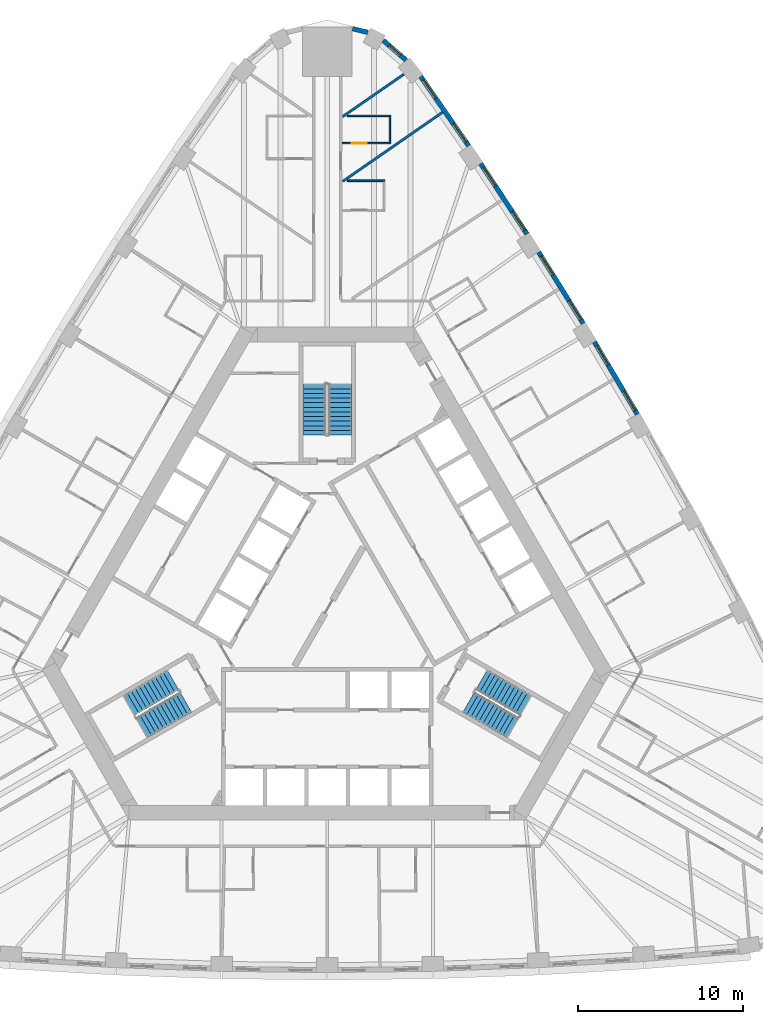
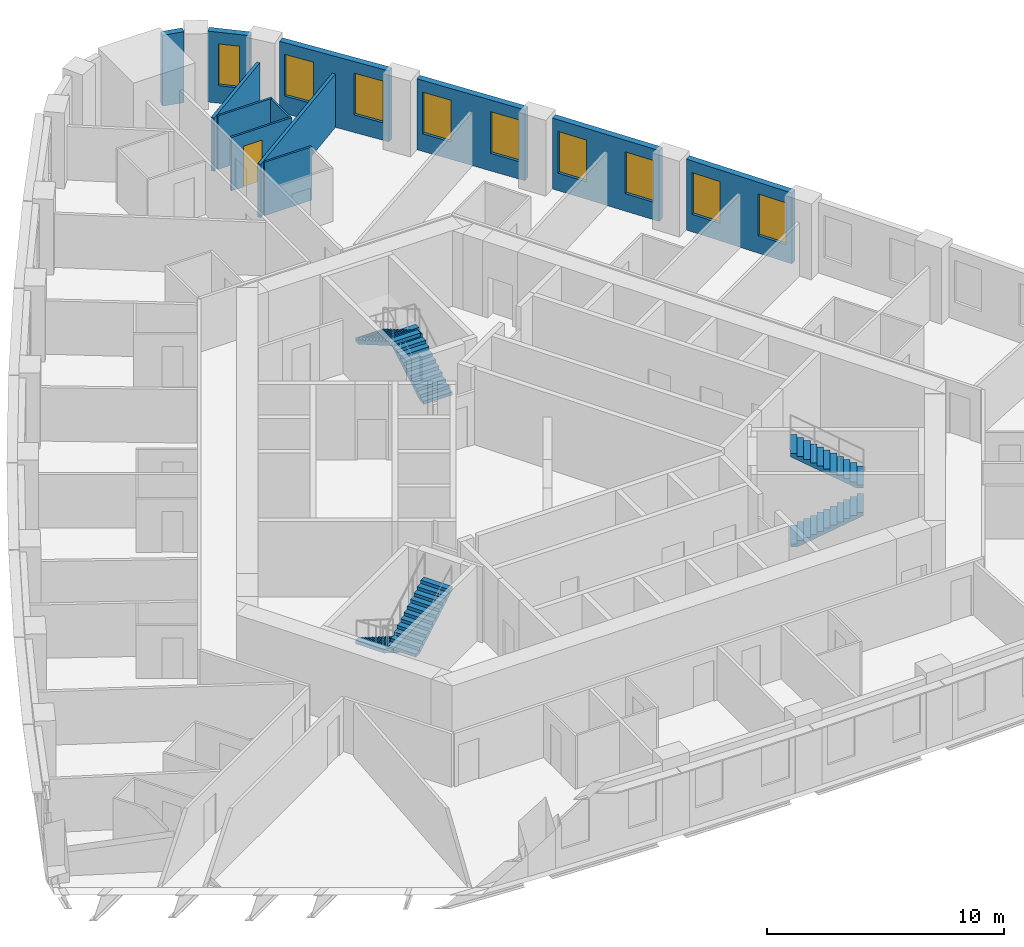
# One storey, part 11 of 12: 12 walls, 9 windows, 6 stair flights, 1 door, 10 openings, 3 elements without a shape of their own.
"""IFC4 building model written with IfcOpenShell, lengths in metres."""

import ifcopenshell
import ifcopenshell.guid

model = None  # the IFC model being written
_history = None  # IfcOwnerHistory: only IFC2X3 demands one
_inside = {}  # id of a spatial element -> (the spatial element, [elements in it])
_under = {}  # id of a project, library or spatial element -> (it, [spatial elements below it])
_declared = {}  # id of a project -> (the project, [libraries it declares])
_typed = {}  # id of a type object -> (the type object, [elements of that type])
_made_of = {}  # id of a material, layer set ... -> (it, [elements and type objects made of it])


def new_model(schema):
    """Start an empty IFC model of exactly this schema.

    Asked for "IFC4X3", IfcOpenShell would pick the latest addendum, in which some entities
    have other attributes; the version numbers below select the first issue.
    IFC2X3 requires an IfcOwnerHistory on every rooted entity: one is made here for all.
    """
    global model, _history
    if schema == "IFC4X3":
        model = ifcopenshell.file(schema_version=(4, 3, 0, 0))
    else:
        model = ifcopenshell.file(schema=schema)
    _inside.clear()
    _under.clear()
    _declared.clear()
    _typed.clear()
    _made_of.clear()
    _history = None
    if model.schema == "IFC2X3":
        org = make("IfcOrganization", Name="unknown")
        user = make(
            "IfcPersonAndOrganization",
            ThePerson=make("IfcPerson", FamilyName="unknown"),
            TheOrganization=org,
        )
        app = make(
            "IfcApplication",
            ApplicationDeveloper=org,
            Version="unknown",
            ApplicationFullName="unknown",
            ApplicationIdentifier="unknown",
        )
        _history = make(
            "IfcOwnerHistory",
            OwningUser=user,
            OwningApplication=app,
            ChangeAction="ADDED",
            CreationDate=0,
        )
    return model


def make(cls, **values):
    """One entity of the class cls with the attributes given. An attribute that is None is left unset."""
    return model.create_entity(
        cls, **{name: value for name, value in values.items() if value is not None}
    )


def rooted(cls, **values):
    """An entity with a GlobalId (a new one), such as an element, a storey or a relation."""
    return make(cls, GlobalId=ifcopenshell.guid.new(), OwnerHistory=_history, **values)


def si_unit(unit_type, name, prefix=None):
    """IfcSIUnit, for example si_unit("LENGTHUNIT", "METRE", prefix="MILLI")."""
    return make("IfcSIUnit", UnitType=unit_type, Prefix=prefix, Name=name)


def assignment(units):
    """IfcUnitAssignment: the units of a project."""
    return None if units is None else make("IfcUnitAssignment", Units=units)


def point(xyz):
    """IfcCartesianPoint."""
    return None if xyz is None else make("IfcCartesianPoint", Coordinates=xyz)


def direction(xyz):
    """IfcDirection."""
    return None if xyz is None else make("IfcDirection", DirectionRatios=xyz)


def frame(location, z_axis=None, x_axis=None):
    """IfcAxis2Placement3D, a coordinate frame: its origin and axes. An axis left out is left unset."""
    return make(
        "IfcAxis2Placement3D",
        Location=point(location),
        Axis=direction(z_axis),
        RefDirection=direction(x_axis),
    )


def frame_2d(location, x_axis=None):
    """IfcAxis2Placement2D, a coordinate frame in the plane: its origin and x axis."""
    return make(
        "IfcAxis2Placement2D", Location=point(location), RefDirection=direction(x_axis)
    )


def origin():
    """The frame at (0, 0, 0) with its axes left unset."""
    return frame((0.0, 0.0, 0.0))


def place(relative_to, where):
    """IfcLocalPlacement: puts the frame where relative to a parent placement (None: the world)."""
    return make(
        "IfcLocalPlacement", PlacementRelTo=relative_to, RelativePlacement=where
    )


def context(
    kind, dimensions, precision=None, world=None, true_north=None, identifier=None
):
    """IfcGeometricRepresentationContext, for example the 3D "Model" context."""
    return make(
        "IfcGeometricRepresentationContext",
        ContextIdentifier=identifier,
        ContextType=kind,
        CoordinateSpaceDimension=dimensions,
        Precision=precision,
        WorldCoordinateSystem=world,
        TrueNorth=true_north,
    )


def subcontext(parent, identifier, kind, view, scale=None):
    """IfcGeometricRepresentationSubContext, for example "Body" below "Model"."""
    return make(
        "IfcGeometricRepresentationSubContext",
        ContextIdentifier=identifier,
        ContextType=kind,
        ParentContext=parent,
        TargetScale=scale,
        TargetView=view,
    )


def project(units=None, contexts=None):
    """IfcProject with its units and contexts."""
    return rooted(
        "IfcProject",
        Name="project",
        RepresentationContexts=contexts,
        UnitsInContext=assignment(units),
    )


def spatial(cls, under=None, at=None, **own):
    """A site, building, storey or space (cls), placed at a placement, below another one or the project."""
    s = rooted(cls, ObjectPlacement=at, **own)
    if under is not None:
        _under.setdefault(under.id(), (under, []))[1].append(s)
    return s


def polyline(points):
    """IfcPolyline through the points."""
    return make("IfcPolyline", Points=[point(p) for p in points])


def profile(cls, at=None, kind="AREA", **sizes):
    """A parametric profile (cls). Its sizes go by their IFC names, for example OverallWidth=200.0."""
    return make(cls, ProfileType=kind, Position=at, **sizes)


def rectangle(**sizes):
    """IfcRectangleProfileDef."""
    return profile("IfcRectangleProfileDef", **sizes)


def outline(outer, holes=None, kind="AREA"):
    """IfcArbitraryClosedProfileDef: a profile drawn as a closed curve; with holes, ...WithVoids."""
    if holes is None:
        return make("IfcArbitraryClosedProfileDef", ProfileType=kind, OuterCurve=outer)
    return make(
        "IfcArbitraryProfileDefWithVoids",
        ProfileType=kind,
        OuterCurve=outer,
        InnerCurves=holes,
    )


def extrude(swept, where, along, depth):
    """IfcExtrudedAreaSolid: the profile swept, set in the frame where, extruded along a direction by depth."""
    return make(
        "IfcExtrudedAreaSolid",
        SweptArea=swept,
        Position=where,
        ExtrudedDirection=direction(along),
        Depth=depth,
    )


def shape(context_of_items, identifier, shape_type, items):
    """IfcShapeRepresentation: the items that make up one representation, for example the "Body"."""
    return make(
        "IfcShapeRepresentation",
        ContextOfItems=context_of_items,
        RepresentationIdentifier=identifier,
        RepresentationType=shape_type,
        Items=items,
    )


def material(Name=None, Category=None):
    """IfcMaterial."""
    return make("IfcMaterial", Name=Name, Category=Category)


def layer(
    of_material, thickness, ventilated=None, Name=None, Category=None, Priority=None
):
    """IfcMaterialLayer: one layer of a wall or slab, of a material (None: an air gap)."""
    return make(
        "IfcMaterialLayer",
        Material=of_material,
        LayerThickness=thickness,
        IsVentilated=ventilated,
        Name=Name,
        Category=Category,
        Priority=Priority,
    )


def layer_set(layers, Name=None):
    """IfcMaterialLayerSet."""
    return make("IfcMaterialLayerSet", MaterialLayers=layers, LayerSetName=Name)


def made_of(thing, what):
    """Note that an element or type object is made of a material, layer set ...; save() writes the relation."""
    if what is not None:
        _made_of.setdefault(what.id(), (what, []))[1].append(thing)
    return thing


def type_object(cls, material=None, **own):
    """A type object (cls), such as IfcWallType, which elements share."""
    return made_of(rooted(cls, **own), material)


def element(
    cls,
    number,
    at=None,
    inside=None,
    cuts=None,
    type_object=None,
    material=None,
    context=None,
    identifier="Body",
    shape_type=None,
    held_by="IfcProductDefinitionShape",
    body=None,
    shapes=None,
    **own,
):
    """One element of the class cls, such as IfcWall. Its Tag is "e" and its number.

    at: its placement. inside: the storey or other place that contains it. cuts: it is an
    opening in that element (IfcRelVoidsElement). A single representation is given by context,
    identifier, shape_type and body (its items); several are given by shapes. held_by: the class
    of the entity that holds the representations. save() writes the other relations.
    """
    e = rooted(cls, Tag="e%d" % number, ObjectPlacement=at, **own)
    if body is not None:
        shapes = [shape(context, identifier, shape_type, body)]
    if shapes is not None:
        e.Representation = make(held_by, Representations=shapes)
    if inside is not None:
        _inside.setdefault(inside.id(), (inside, []))[1].append(e)
    if cuts is not None:
        rooted(
            "IfcRelVoidsElement", RelatingBuildingElement=cuts, RelatedOpeningElement=e
        )
    if type_object is not None:
        _typed.setdefault(type_object.id(), (type_object, []))[1].append(e)
    return made_of(e, material)


def fill(opening, filler):
    """IfcRelFillsElement: the door or window that sits in an opening."""
    return rooted(
        "IfcRelFillsElement",
        RelatingOpeningElement=opening,
        RelatedBuildingElement=filler,
    )


def aggregate(whole, parts):
    """IfcRelAggregates: a whole, such as a stair, and the parts it consists of."""
    return rooted("IfcRelAggregates", RelatingObject=whole, RelatedObjects=parts)


def save(model, path):
    """Write the relations noted so far, then the file.

    IfcRelAggregates (storeys below a building ...), IfcRelContainedInSpatialStructure (elements
    in a storey), IfcRelDefinesByType, IfcRelAssociatesMaterial and IfcRelDeclares: one each for
    every whole, place, type object, material and project.
    """
    for whole, parts in _under.values():
        aggregate(whole, parts)
    for where, things in _inside.values():
        rooted(
            "IfcRelContainedInSpatialStructure",
            RelatedElements=things,
            RelatingStructure=where,
        )
    for kind, things in _typed.values():
        rooted("IfcRelDefinesByType", RelatedObjects=things, RelatingType=kind)
    for what, things in _made_of.values():
        rooted("IfcRelAssociatesMaterial", RelatedObjects=things, RelatingMaterial=what)
    for by, libraries in _declared.values():
        rooted("IfcRelDeclares", RelatingContext=by, RelatedDefinitions=libraries)
    model.write(path)


model = new_model("IFC4")

# Units and contexts
model_context = context("Model", 3, precision=1e-05, world=origin(), true_north=direction((0.0, 1.0)))
body_context = subcontext(model_context, "Body", "Model", "MODEL_VIEW")
ifc_project = project(units=[si_unit("LENGTHUNIT", "METRE"), si_unit("AREAUNIT", "SQUARE_METRE"), si_unit("VOLUMEUNIT", "CUBIC_METRE"), si_unit("PLANEANGLEUNIT", "RADIAN"), si_unit("MASSUNIT", "GRAM", prefix="KILO")], contexts=[model_context])

# Site, building, storey
site_placement = place(None, origin())
site = spatial("IfcSite", under=ifc_project, at=site_placement, CompositionType="ELEMENT")
building_placement = place(site_placement, origin())
building = spatial("IfcBuilding", under=site, at=building_placement, Name="Mestral Congress Tower", CompositionType="ELEMENT")
storey_placement = place(building_placement, frame((0.0, 0.0, 111.0)))
storey = spatial("IfcBuildingStorey", under=building, at=storey_placement, Name="L26", CompositionType="ELEMENT", Elevation=111.0)

# Wall, openings, windows
ifc_material_1 = material(Name="Precast concrete C40/50 with limestone facing", Category="masonry")
ifc_layer_1 = layer(ifc_material_1, 0.2900390625)
ifc_layer_set_1 = layer_set([ifc_layer_1], Name="Precast concrete C40/50 with limestone facing")
wall_type_1 = type_object("IfcWallType", Name="Facade stone wall 290", PredefinedType="SOLIDWALL", material=ifc_layer_set_1)
wall_1_placement = place(storey_placement, frame((18.8046875, 11.611083984375, 0.0), z_axis=(0.0, 0.0, 1.0), x_axis=(-0.510054281659, 0.860142214847, 0.0)))
wall_1 = element("IfcWall", 1, at=wall_1_placement, inside=storey, type_object=wall_type_1, Name="Facade wall F1-04", PredefinedType="SOLIDWALL", context=body_context, shape_type="SweptSolid", body=[
    extrude(rectangle(XDim=5.1005859375, YDim=0.2900390625, at=frame_2d((2.55029296875, 0.0))), origin(), (0.0, 0.0, 1.0), 3.64990234375),
])
opening_1_placement = place(wall_1_placement, frame((0.272705078125, 0.0, 0.89990234375)))
opening_1 = element("IfcOpeningElement", 2, at=opening_1_placement, cuts=wall_1, Name="Opening W2", PredefinedType="OPENING", context=body_context, shape_type="SweptSolid", body=[
    extrude(rectangle(XDim=1.35009765625, YDim=2.14990234375, at=frame_2d((0.675048828125, 1.074951171875))), frame((0.0, 0.155029296875, 0.0), z_axis=(0.0, -1.0, 0.0), x_axis=(1.0, 0.0, 0.0)), (0.0, 0.0, 1.0), 0.31005859375),
])
opening_2_placement = place(wall_1_placement, frame((3.477783203125, 0.0, 0.89990234375)))
opening_2 = element("IfcOpeningElement", 3, at=opening_2_placement, cuts=wall_1, Name="Opening W2", PredefinedType="OPENING", context=body_context, shape_type="SweptSolid", body=[
    extrude(rectangle(XDim=1.35009765625, YDim=2.14990234375, at=frame_2d((0.675048828125, 1.074951171875))), frame((0.0, 0.155029296875, 0.0), z_axis=(0.0, -1.0, 0.0), x_axis=(1.0, 0.0, 0.0)), (0.0, 0.0, 1.0), 0.31005859375),
])
ifc_material_2 = material(Name="Clear low-emissivity double glazing", Category="glass")
window_type_1 = type_object("IfcWindowType", Name="Facade punched window 1350 x 2150 sill 900", PartitioningType="DOUBLE_PANEL_VERTICAL", PredefinedType="WINDOW", material=ifc_material_2)
window_1_placement = place(opening_1_placement, origin())
window_1 = element("IfcWindow", 4, at=window_1_placement, inside=storey, type_object=window_type_1, Name="Window F1-04a", OverallHeight=2.14990234375, OverallWidth=1.35009765625, PartitioningType="DOUBLE_PANEL_VERTICAL", PredefinedType="WINDOW", context=body_context, shape_type="SweptSolid", body=[
    extrude(rectangle(XDim=1.35009765625, YDim=2.14990234375, at=frame_2d((0.675048828125, 1.074951171875))), frame((0.0, 0.01513671875, 0.0), z_axis=(0.0, -1.0, 0.0), x_axis=(1.0, 0.0, 0.0)), (0.0, 0.0, 1.0), 0.06005859375),
])
fill(opening_1, window_1)
window_2_placement = place(opening_2_placement, origin())
window_2 = element("IfcWindow", 5, at=window_2_placement, inside=storey, type_object=window_type_1, Name="Window F1-04b", OverallHeight=2.14990234375, OverallWidth=1.35009765625, PartitioningType="DOUBLE_PANEL_VERTICAL", PredefinedType="WINDOW", context=body_context, shape_type="SweptSolid", body=[
    extrude(rectangle(XDim=1.35009765625, YDim=2.14990234375, at=frame_2d((0.675048828125, 1.074951171875))), frame((0.0, 0.01513671875, 0.0), z_axis=(0.0, -1.0, 0.0), x_axis=(1.0, 0.0, 0.0)), (0.0, 0.0, 1.0), 0.06005859375),
])
fill(opening_2, window_2)

wall_2_placement = place(storey_placement, frame((15.523681640625, 17.114013671875, 0.0), z_axis=(0.0, 0.0, 1.0), x_axis=(-0.530072082134, 0.847952585787, 0.0)))
wall_2 = element("IfcWall", 6, at=wall_2_placement, inside=storey, type_object=wall_type_1, Name="Facade wall F1-05", PredefinedType="SOLIDWALL", context=body_context, shape_type="SweptSolid", body=[
    extrude(rectangle(XDim=5.100341796875, YDim=0.2900390625, at=frame_2d((2.55029296875, 0.0))), origin(), (0.0, 0.0, 1.0), 3.64990234375),
])
opening_3_placement = place(wall_2_placement, frame((0.272705078125, 0.0, 0.89990234375)))
opening_3 = element("IfcOpeningElement", 7, at=opening_3_placement, cuts=wall_2, Name="Opening W2", PredefinedType="OPENING", context=body_context, shape_type="SweptSolid", body=[
    extrude(rectangle(XDim=1.35009765625, YDim=2.14990234375, at=frame_2d((0.675048828125, 1.074951171875))), frame((0.0, 0.155029296875, 0.0), z_axis=(0.0, -1.0, 0.0), x_axis=(1.0, 0.0, 0.0)), (0.0, 0.0, 1.0), 0.31005859375),
])
opening_4_placement = place(wall_2_placement, frame((3.477783203125, 0.0, 0.89990234375)))
opening_4 = element("IfcOpeningElement", 8, at=opening_4_placement, cuts=wall_2, Name="Opening W2", PredefinedType="OPENING", context=body_context, shape_type="SweptSolid", body=[
    extrude(rectangle(XDim=1.35009765625, YDim=2.14990234375, at=frame_2d((0.675048828125, 1.074951171875))), frame((0.0, 0.155029296875, 0.0), z_axis=(0.0, -1.0, 0.0), x_axis=(1.0, 0.0, 0.0)), (0.0, 0.0, 1.0), 0.31005859375),
])
window_3_placement = place(opening_3_placement, origin())
window_3 = element("IfcWindow", 9, at=window_3_placement, inside=storey, type_object=window_type_1, Name="Window F1-05a", OverallHeight=2.14990234375, OverallWidth=1.35009765625, PartitioningType="DOUBLE_PANEL_VERTICAL", PredefinedType="WINDOW", context=body_context, shape_type="SweptSolid", body=[
    extrude(rectangle(XDim=1.35009765625, YDim=2.14990234375, at=frame_2d((0.675048828125, 1.074951171875))), frame((0.0, 0.01513671875, 0.0), z_axis=(0.0, -1.0, 0.0), x_axis=(1.0, 0.0, 0.0)), (0.0, 0.0, 1.0), 0.06005859375),
])
fill(opening_3, window_3)
window_4_placement = place(opening_4_placement, origin())
window_4 = element("IfcWindow", 10, at=window_4_placement, inside=storey, type_object=window_type_1, Name="Window F1-05b", OverallHeight=2.14990234375, OverallWidth=1.35009765625, PartitioningType="DOUBLE_PANEL_VERTICAL", PredefinedType="WINDOW", context=body_context, shape_type="SweptSolid", body=[
    extrude(rectangle(XDim=1.35009765625, YDim=2.14990234375, at=frame_2d((0.675048828125, 1.074951171875))), frame((0.0, 0.01513671875, 0.0), z_axis=(0.0, -1.0, 0.0), x_axis=(1.0, 0.0, 0.0)), (0.0, 0.0, 1.0), 0.06005859375),
])
fill(opening_4, window_4)

wall_3_placement = place(storey_placement, frame((12.114501953125, 22.538818359375, 0.0), z_axis=(0.0, 0.0, 1.0), x_axis=(-0.549741341923, 0.835334937005, 0.0)))
wall_3 = element("IfcWall", 11, at=wall_3_placement, inside=storey, type_object=wall_type_1, Name="Facade wall F1-06", PredefinedType="SOLIDWALL", context=body_context, shape_type="SweptSolid", body=[
    extrude(rectangle(XDim=5.10009765625, YDim=0.2900390625, at=frame_2d((2.550048828125, 0.0))), origin(), (0.0, 0.0, 1.0), 3.64990234375),
])
opening_5_placement = place(wall_3_placement, frame((0.272705078125, 0.0, 0.89990234375)))
opening_5 = element("IfcOpeningElement", 12, at=opening_5_placement, cuts=wall_3, Name="Opening W2", PredefinedType="OPENING", context=body_context, shape_type="SweptSolid", body=[
    extrude(rectangle(XDim=1.35009765625, YDim=2.14990234375, at=frame_2d((0.675048828125, 1.074951171875))), frame((0.0, 0.155029296875, 0.0), z_axis=(0.0, -1.0, 0.0), x_axis=(1.0, 0.0, 0.0)), (0.0, 0.0, 1.0), 0.31005859375),
])
opening_6_placement = place(wall_3_placement, frame((3.477783203125, 0.0, 0.89990234375)))
opening_6 = element("IfcOpeningElement", 13, at=opening_6_placement, cuts=wall_3, Name="Opening W2", PredefinedType="OPENING", context=body_context, shape_type="SweptSolid", body=[
    extrude(rectangle(XDim=1.35009765625, YDim=2.14990234375, at=frame_2d((0.675048828125, 1.074951171875))), frame((0.0, 0.155029296875, 0.0), z_axis=(0.0, -1.0, 0.0), x_axis=(1.0, 0.0, 0.0)), (0.0, 0.0, 1.0), 0.31005859375),
])
window_5_placement = place(opening_5_placement, origin())
window_5 = element("IfcWindow", 14, at=window_5_placement, inside=storey, type_object=window_type_1, Name="Window F1-06a", OverallHeight=2.14990234375, OverallWidth=1.35009765625, PartitioningType="DOUBLE_PANEL_VERTICAL", PredefinedType="WINDOW", context=body_context, shape_type="SweptSolid", body=[
    extrude(rectangle(XDim=1.35009765625, YDim=2.14990234375, at=frame_2d((0.675048828125, 1.074951171875))), frame((0.0, 0.01513671875, 0.0), z_axis=(0.0, -1.0, 0.0), x_axis=(1.0, 0.0, 0.0)), (0.0, 0.0, 1.0), 0.06005859375),
])
fill(opening_5, window_5)
window_6_placement = place(opening_6_placement, origin())
window_6 = element("IfcWindow", 15, at=window_6_placement, inside=storey, type_object=window_type_1, Name="Window F1-06b", OverallHeight=2.14990234375, OverallWidth=1.35009765625, PartitioningType="DOUBLE_PANEL_VERTICAL", PredefinedType="WINDOW", context=body_context, shape_type="SweptSolid", body=[
    extrude(rectangle(XDim=1.35009765625, YDim=2.14990234375, at=frame_2d((0.675048828125, 1.074951171875))), frame((0.0, 0.01513671875, 0.0), z_axis=(0.0, -1.0, 0.0), x_axis=(1.0, 0.0, 0.0)), (0.0, 0.0, 1.0), 0.06005859375),
])
fill(opening_6, window_6)

wall_4_placement = place(storey_placement, frame((8.57958984375, 27.882080078125, 0.0), z_axis=(0.0, 0.0, 1.0), x_axis=(-0.569113019126, 0.822259309136, 0.0)))
wall_4 = element("IfcWall", 16, at=wall_4_placement, inside=storey, type_object=wall_type_1, Name="Facade wall F1-07", PredefinedType="SOLIDWALL", context=body_context, shape_type="SweptSolid", body=[
    extrude(rectangle(XDim=5.106689453125, YDim=0.2900390625, at=frame_2d((2.55322265625, 0.0))), origin(), (0.0, 0.0, 1.0), 3.64990234375),
])
opening_7_placement = place(wall_4_placement, frame((0.285400390625, 0.0, 0.89990234375)))
opening_7 = element("IfcOpeningElement", 17, at=opening_7_placement, cuts=wall_4, Name="Opening W2", PredefinedType="OPENING", context=body_context, shape_type="SweptSolid", body=[
    extrude(rectangle(XDim=1.35009765625, YDim=2.14990234375, at=frame_2d((0.675048828125, 1.074951171875))), frame((0.0, 0.155029296875, 0.0), z_axis=(0.0, -1.0, 0.0), x_axis=(1.0, 0.0, 0.0)), (0.0, 0.0, 1.0), 0.31005859375),
])
opening_8_placement = place(wall_4_placement, frame((3.516357421875, 0.0, 0.89990234375)))
opening_8 = element("IfcOpeningElement", 18, at=opening_8_placement, cuts=wall_4, Name="Opening W2", PredefinedType="OPENING", context=body_context, shape_type="SweptSolid", body=[
    extrude(rectangle(XDim=1.35009765625, YDim=2.14990234375, at=frame_2d((0.675048828125, 1.074951171875))), frame((0.0, 0.155029296875, 0.0), z_axis=(0.0, -1.0, 0.0), x_axis=(1.0, 0.0, 0.0)), (0.0, 0.0, 1.0), 0.31005859375),
])
window_7_placement = place(opening_7_placement, origin())
window_7 = element("IfcWindow", 19, at=window_7_placement, inside=storey, type_object=window_type_1, Name="Window F1-07a", OverallHeight=2.14990234375, OverallWidth=1.35009765625, PartitioningType="DOUBLE_PANEL_VERTICAL", PredefinedType="WINDOW", context=body_context, shape_type="SweptSolid", body=[
    extrude(rectangle(XDim=1.35009765625, YDim=2.14990234375, at=frame_2d((0.675048828125, 1.074951171875))), frame((0.0, 0.01513671875, 0.0), z_axis=(0.0, -1.0, 0.0), x_axis=(1.0, 0.0, 0.0)), (0.0, 0.0, 1.0), 0.06005859375),
])
fill(opening_7, window_7)
window_8_placement = place(opening_8_placement, origin())
window_8 = element("IfcWindow", 20, at=window_8_placement, inside=storey, type_object=window_type_1, Name="Window F1-07b", OverallHeight=2.14990234375, OverallWidth=1.35009765625, PartitioningType="DOUBLE_PANEL_VERTICAL", PredefinedType="WINDOW", context=body_context, shape_type="SweptSolid", body=[
    extrude(rectangle(XDim=1.35009765625, YDim=2.14990234375, at=frame_2d((0.675048828125, 1.074951171875))), frame((0.0, 0.01513671875, 0.0), z_axis=(0.0, -1.0, 0.0), x_axis=(1.0, 0.0, 0.0)), (0.0, 0.0, 1.0), 0.06005859375),
])
fill(opening_8, window_8)

# Wall, opening, window
wall_5_placement = place(storey_placement, frame((4.778076171875, 33.08203125, 0.0), z_axis=(0.0, 0.0, 1.0), x_axis=(-0.754882764627, 0.655859749999, 0.0)))
wall_5 = element("IfcWall", 21, at=wall_5_placement, inside=storey, type_object=wall_type_1, Name="Facade wall K1-0", PredefinedType="SOLIDWALL", context=body_context, shape_type="SweptSolid", body=[
    extrude(rectangle(XDim=1.819580078125, YDim=0.2900390625, at=frame_2d((0.90966796875, 0.0))), origin(), (0.0, 0.0, 1.0), 3.64990234375),
])
opening_9_placement = place(wall_5_placement, frame((0.459716796875, 0.0, 0.89990234375)))
opening_9 = element("IfcOpeningElement", 22, at=opening_9_placement, cuts=wall_5, Name="Opening W3", PredefinedType="OPENING", context=body_context, shape_type="SweptSolid", body=[
    extrude(rectangle(XDim=0.89990234375, YDim=2.14990234375, at=frame_2d((0.449951171875, 1.074951171875))), frame((0.0, 0.155029296875, 0.0), z_axis=(0.0, -1.0, 0.0), x_axis=(1.0, 0.0, 0.0)), (0.0, 0.0, 1.0), 0.31005859375),
])
window_type_2 = type_object("IfcWindowType", Name="Facade punched window 900 x 2150 sill 900", PartitioningType="SINGLE_PANEL", PredefinedType="WINDOW", material=ifc_material_2)
window_9_placement = place(opening_9_placement, origin())
window_9 = element("IfcWindow", 23, at=window_9_placement, inside=storey, type_object=window_type_2, Name="Window K1-0", OverallHeight=2.14990234375, OverallWidth=0.89990234375, PartitioningType="SINGLE_PANEL", PredefinedType="WINDOW", context=body_context, shape_type="SweptSolid", body=[
    extrude(rectangle(XDim=0.89990234375, YDim=2.14990234375, at=frame_2d((0.449951171875, 1.074951171875))), frame((0.0, 0.01513671875, 0.0), z_axis=(0.0, -1.0, 0.0), x_axis=(1.0, 0.0, 0.0)), (0.0, 0.0, 1.0), 0.06005859375),
])
fill(opening_9, window_9)

# Walls
wall_6_placement = place(storey_placement, frame((2.455322265625, 34.765625, 0.0), z_axis=(0.0, 0.0, 1.0), x_axis=(-0.971713991574, 0.236160789674, 0.0)))
element("IfcWall", 24, at=wall_6_placement, inside=storey, type_object=wall_type_1, Name="Facade wall K1-1", PredefinedType="SOLIDWALL", context=body_context, shape_type="SweptSolid", body=[
    extrude(rectangle(XDim=0.947021484375, YDim=0.2900390625, at=frame_2d((0.4736328125, 0.0))), origin(), (0.0, 0.0, 1.0), 3.64990234375),
])
ifc_material_3 = material(Name="Gypsum board partition on metal studs with mineral wool", Category="composite")
ifc_layer_2 = layer(ifc_material_3, 0.10009765625)
ifc_layer_set_2 = layer_set([ifc_layer_2], Name="Gypsum board partition on metal studs with mineral wool")
wall_type_2 = type_object("IfcWallType", Name="Hotel partition wall 100", PredefinedType="PARTITIONING", material=ifc_layer_set_2)
wall_7_placement = place(storey_placement, frame((1.199951171875, 25.76904296875, 0.0), z_axis=(0.0, 0.0, 1.0), x_axis=(1.0, 0.0, 0.0)))
element("IfcWall", 25, at=wall_7_placement, inside=storey, type_object=wall_type_2, Name="L26-h-pod15c", PredefinedType="PARTITIONING", context=body_context, shape_type="SweptSolid", body=[
    extrude(rectangle(XDim=2.300048828125, YDim=0.10009765625, at=frame_2d((1.14990234375, 0.0))), origin(), (0.0, 0.0, 1.0), 2.75),
])

# Wall, opening, door
wall_8_placement = place(storey_placement, frame((0.89990234375, 28.048095703125, 0.0), z_axis=(0.0, 0.0, 1.0), x_axis=(1.0, 0.0, 0.0)))
wall_8 = element("IfcWall", 26, at=wall_8_placement, inside=storey, type_object=wall_type_2, Name="L26-h-pod16a", PredefinedType="PARTITIONING", context=body_context, shape_type="SweptSolid", body=[
    extrude(rectangle(XDim=2.9501953125, YDim=0.10009765625, at=frame_2d((1.47509765625, 0.0))), origin(), (0.0, 0.0, 1.0), 2.75),
])
opening_10_placement = place(wall_8_placement, frame((0.60009765625, 0.0, 0.0)))
opening_10 = element("IfcOpeningElement", 27, at=opening_10_placement, cuts=wall_8, Name="Opening H08-028", PredefinedType="OPENING", context=body_context, shape_type="SweptSolid", body=[
    extrude(rectangle(XDim=0.89990234375, YDim=2.10009765625, at=frame_2d((0.449951171875, 1.050048828125))), frame((0.0, 0.06005859375, 0.0), z_axis=(0.0, -1.0, 0.0), x_axis=(1.0, 0.0, 0.0)), (0.0, 0.0, 1.0), 0.1201171875),
])
ifc_material_4 = material(Name="Timber veneer door leaf in timber frame", Category="wood")
door_type = type_object("IfcDoorType", Name="Bathroom door 900", OperationType="SINGLE_SWING_LEFT", PredefinedType="DOOR", material=ifc_material_4)
door_placement = place(opening_10_placement, origin())
door = element("IfcDoor", 28, at=door_placement, inside=storey, type_object=door_type, Name="L26-h-d028", OperationType="SINGLE_SWING_LEFT", OverallHeight=2.10009765625, OverallWidth=0.89990234375, PredefinedType="DOOR", context=body_context, shape_type="SweptSolid", body=[
    extrude(rectangle(XDim=0.89990234375, YDim=2.10009765625, at=frame_2d((0.449951171875, 1.050048828125))), frame((0.0, 0.02490234375, 0.0), z_axis=(0.0, -1.0, 0.0), x_axis=(1.0, 0.0, 0.0)), (0.0, 0.0, 1.0), 0.050048828125),
])
fill(opening_10, door)

# Walls
wall_9_placement = place(storey_placement, frame((3.800048828125, 28.09814453125, 0.0), z_axis=(0.0, 0.0, 1.0), x_axis=(0.0, 1.0, 0.0)))
element("IfcWall", 29, at=wall_9_placement, inside=storey, type_object=wall_type_2, Name="L26-h-pod16b", PredefinedType="PARTITIONING", context=body_context, shape_type="SweptSolid", body=[
    extrude(rectangle(XDim=1.550048828125, YDim=0.10009765625, at=frame_2d((0.77490234375, 0.0))), origin(), (0.0, 0.0, 1.0), 2.75),
])
wall_10_placement = place(storey_placement, frame((1.199951171875, 29.697998046875, 0.0), z_axis=(0.0, 0.0, 1.0), x_axis=(1.0, 0.0, 0.0)))
element("IfcWall", 30, at=wall_10_placement, inside=storey, type_object=wall_type_2, Name="L26-h-pod16c", PredefinedType="PARTITIONING", context=body_context, shape_type="SweptSolid", body=[
    extrude(rectangle(XDim=2.650146484375, YDim=0.10009765625, at=frame_2d((1.3251953125, 0.0))), origin(), (0.0, 0.0, 1.0), 2.75),
])
ifc_layer_3 = layer(ifc_material_3, 0.14990234375)
ifc_layer_set_3 = layer_set([ifc_layer_3], Name="Gypsum board partition on metal studs with mineral wool")
wall_type_3 = type_object("IfcWallType", Name="Hotel partition wall 150", PredefinedType="PARTITIONING", material=ifc_layer_set_3)
wall_11_placement = place(storey_placement, frame((6.994384765625, 29.91748046875, 0.0), z_axis=(0.0, 0.0, 1.0), x_axis=(-0.822255462494, -0.569118576747, 0.0)))
element("IfcWall", 31, at=wall_11_placement, inside=storey, type_object=wall_type_3, Name="L26-h-pw14", PredefinedType="PARTITIONING", context=body_context, shape_type="SweptSolid", body=[
    extrude(rectangle(XDim=7.36181640625, YDim=0.14990234375, at=frame_2d((3.680908203125, 0.0))), origin(), (0.0, 0.0, 1.0), 2.75),
])
wall_12_placement = place(storey_placement, frame((4.649169921875, 32.223388671875, 0.0), z_axis=(0.0, 0.0, 1.0), x_axis=(-0.822262349475, -0.569108626394, 0.0)))
element("IfcWall", 32, at=wall_12_placement, inside=storey, type_object=wall_type_3, Name="L26-h-pw17", PredefinedType="PARTITIONING", context=body_context, shape_type="SweptSolid", body=[
    extrude(rectangle(XDim=4.509521484375, YDim=0.14990234375, at=frame_2d((2.2548828125, 0.0))), origin(), (0.0, 0.0, 1.0), 2.75),
])

# Stair, stair flights
ifc_material_5 = material(Name="Concrete C60/75", Category="concrete")
stair_type = type_object("IfcStairType", Name="Exit stair 1400", PredefinedType="HALF_TURN_STAIR", material=ifc_material_5)
placement = place(storey_placement, origin())
stair_1 = element("IfcStair", 33, at=placement, inside=storey, type_object=stair_type, Name="L26 ST1", PredefinedType="HALF_TURN_STAIR")
stair_flight_type = type_object("IfcStairFlightType", Name="Exit stair flight 1400", PredefinedType="STRAIGHT", material=ifc_material_5)
stair_flight_1_placement = place(storey_placement, frame((8.575927734375, -5.84619140625, 0.0), z_axis=(0.0, 0.0, 1.0), x_axis=(0.866025403784, -0.5, 0.0)))
stair_flight_1 = element("IfcStairFlight", 34, at=stair_flight_1_placement, type_object=stair_flight_type, Name="ST1 flight 1", NumberOfRisers=12, NumberOfTreads=11, PredefinedType="STRAIGHT", RiserHeight=0.1625, TreadLength=0.28, context=body_context, shape_type="SweptSolid", body=[
    extrude(outline(polyline([(0.0, 0.0), (0.0, 0.16259765625), (0.280029296875, 0.16259765625), (0.280029296875, 0.324951171875), (0.56005859375, 0.324951171875), (0.56005859375, 0.487548828125), (0.840087890625, 0.487548828125), (0.840087890625, 0.64990234375), (1.1201171875, 0.64990234375), (1.1201171875, 0.8125), (1.39990234375, 0.8125), (1.39990234375, 0.97509765625), (1.679931640625, 0.97509765625), (1.679931640625, 1.137451171875), (1.9599609375, 1.137451171875), (1.9599609375, 1.300048828125), (2.239990234375, 1.300048828125), (2.239990234375, 1.46240234375), (2.52001953125, 1.46240234375), (2.52001953125, 1.625), (2.800048828125, 1.625), (2.800048828125, 1.78759765625), (3.080078125, 1.78759765625), (3.080078125, 1.949951171875), (3.080078125, 1.6142578125), (0.298583984375, 0.0), (0.0, 0.0)])), frame((0.0, 0.699951171875, 0.0), z_axis=(0.0, -1.0, 0.0), x_axis=(1.0, 0.0, 0.0)), (0.0, 0.0, 1.0), 1.39990234375),
])
stair_flight_2_placement = place(storey_placement, frame((12.018310546875, -6.0439453125, 1.949951171875), z_axis=(0.0, 0.0, 1.0), x_axis=(-0.866025403784, 0.5, 0.0)))
stair_flight_2 = element("IfcStairFlight", 35, at=stair_flight_2_placement, type_object=stair_flight_type, Name="ST1 flight 2", NumberOfRisers=12, NumberOfTreads=11, PredefinedType="STRAIGHT", RiserHeight=0.1625, TreadLength=0.28, context=body_context, shape_type="SweptSolid", body=[
    extrude(outline(polyline([(0.0, 0.0), (0.0, 0.16259765625), (0.280029296875, 0.16259765625), (0.280029296875, 0.324951171875), (0.56005859375, 0.324951171875), (0.56005859375, 0.487548828125), (0.840087890625, 0.487548828125), (0.840087890625, 0.64990234375), (1.1201171875, 0.64990234375), (1.1201171875, 0.8125), (1.39990234375, 0.8125), (1.39990234375, 0.97509765625), (1.679931640625, 0.97509765625), (1.679931640625, 1.137451171875), (1.9599609375, 1.137451171875), (1.9599609375, 1.300048828125), (2.239990234375, 1.300048828125), (2.239990234375, 1.46240234375), (2.52001953125, 1.46240234375), (2.52001953125, 1.625), (2.800048828125, 1.625), (2.800048828125, 1.78759765625), (3.080078125, 1.78759765625), (3.080078125, 1.949951171875), (3.080078125, 1.6142578125), (0.298583984375, 0.0), (0.0, 0.0)])), frame((0.0, 0.699951171875, 0.0), z_axis=(0.0, -1.0, 0.0), x_axis=(1.0, 0.0, 0.0)), (0.0, 0.0, 1.0), 1.39990234375),
])
aggregate(stair_1, [stair_flight_1, stair_flight_2])

stair_2 = element("IfcStair", 36, at=placement, inside=storey, type_object=stair_type, Name="L26 ST2", PredefinedType="HALF_TURN_STAIR")
stair_flight_3_placement = place(storey_placement, frame((0.77490234375, 10.35009765625, 0.0), z_axis=(0.0, 0.0, 1.0), x_axis=(0.0, 1.0, 0.0)))
stair_flight_3 = element("IfcStairFlight", 37, at=stair_flight_3_placement, type_object=stair_flight_type, Name="ST2 flight 1", NumberOfRisers=12, NumberOfTreads=11, PredefinedType="STRAIGHT", RiserHeight=0.1625, TreadLength=0.28, context=body_context, shape_type="SweptSolid", body=[
    extrude(outline(polyline([(0.0, 0.0), (0.0, 0.16259765625), (0.280029296875, 0.16259765625), (0.280029296875, 0.324951171875), (0.56005859375, 0.324951171875), (0.56005859375, 0.487548828125), (0.840087890625, 0.487548828125), (0.840087890625, 0.64990234375), (1.1201171875, 0.64990234375), (1.1201171875, 0.8125), (1.39990234375, 0.8125), (1.39990234375, 0.97509765625), (1.679931640625, 0.97509765625), (1.679931640625, 1.137451171875), (1.9599609375, 1.137451171875), (1.9599609375, 1.300048828125), (2.239990234375, 1.300048828125), (2.239990234375, 1.46240234375), (2.52001953125, 1.46240234375), (2.52001953125, 1.625), (2.800048828125, 1.625), (2.800048828125, 1.78759765625), (3.080078125, 1.78759765625), (3.080078125, 1.949951171875), (3.080078125, 1.6142578125), (0.298583984375, 0.0), (0.0, 0.0)])), frame((0.0, 0.699951171875, 0.0), z_axis=(0.0, -1.0, 0.0), x_axis=(1.0, 0.0, 0.0)), (0.0, 0.0, 1.0), 1.39990234375),
])
stair_flight_4_placement = place(storey_placement, frame((-0.77490234375, 13.429931640625, 1.949951171875), z_axis=(0.0, 0.0, 1.0), x_axis=(0.0, -1.0, 0.0)))
stair_flight_4 = element("IfcStairFlight", 38, at=stair_flight_4_placement, type_object=stair_flight_type, Name="ST2 flight 2", NumberOfRisers=12, NumberOfTreads=11, PredefinedType="STRAIGHT", RiserHeight=0.1625, TreadLength=0.28, context=body_context, shape_type="SweptSolid", body=[
    extrude(outline(polyline([(0.0, 0.0), (0.0, 0.16259765625), (0.280029296875, 0.16259765625), (0.280029296875, 0.324951171875), (0.56005859375, 0.324951171875), (0.56005859375, 0.487548828125), (0.840087890625, 0.487548828125), (0.840087890625, 0.64990234375), (1.1201171875, 0.64990234375), (1.1201171875, 0.8125), (1.39990234375, 0.8125), (1.39990234375, 0.97509765625), (1.679931640625, 0.97509765625), (1.679931640625, 1.137451171875), (1.9599609375, 1.137451171875), (1.9599609375, 1.300048828125), (2.239990234375, 1.300048828125), (2.239990234375, 1.46240234375), (2.52001953125, 1.46240234375), (2.52001953125, 1.625), (2.800048828125, 1.625), (2.800048828125, 1.78759765625), (3.080078125, 1.78759765625), (3.080078125, 1.949951171875), (3.080078125, 1.6142578125), (0.298583984375, 0.0), (0.0, 0.0)])), frame((0.0, 0.699951171875, 0.0), z_axis=(0.0, -1.0, 0.0), x_axis=(1.0, 0.0, 0.0)), (0.0, 0.0, 1.0), 1.39990234375),
])
aggregate(stair_2, [stair_flight_3, stair_flight_4])

stair_3 = element("IfcStair", 39, at=placement, inside=storey, type_object=stair_type, Name="L26 ST3", PredefinedType="HALF_TURN_STAIR")
stair_flight_5_placement = place(storey_placement, frame((-9.350830078125, -4.50390625, 0.0), z_axis=(0.0, 0.0, 1.0), x_axis=(-0.866025403784, -0.5, 0.0)))
stair_flight_5 = element("IfcStairFlight", 40, at=stair_flight_5_placement, type_object=stair_flight_type, Name="ST3 flight 1", NumberOfRisers=12, NumberOfTreads=11, PredefinedType="STRAIGHT", RiserHeight=0.1625, TreadLength=0.28, context=body_context, shape_type="SweptSolid", body=[
    extrude(outline(polyline([(0.0, 0.0), (0.0, 0.16259765625), (0.280029296875, 0.16259765625), (0.280029296875, 0.324951171875), (0.56005859375, 0.324951171875), (0.56005859375, 0.487548828125), (0.840087890625, 0.487548828125), (0.840087890625, 0.64990234375), (1.1201171875, 0.64990234375), (1.1201171875, 0.8125), (1.39990234375, 0.8125), (1.39990234375, 0.97509765625), (1.679931640625, 0.97509765625), (1.679931640625, 1.137451171875), (1.9599609375, 1.137451171875), (1.9599609375, 1.300048828125), (2.239990234375, 1.300048828125), (2.239990234375, 1.46240234375), (2.52001953125, 1.46240234375), (2.52001953125, 1.625), (2.800048828125, 1.625), (2.800048828125, 1.78759765625), (3.080078125, 1.78759765625), (3.080078125, 1.949951171875), (3.080078125, 1.6142578125), (0.298583984375, 0.0), (0.0, 0.0)])), frame((0.0, 0.699951171875, 0.0), z_axis=(0.0, -1.0, 0.0), x_axis=(1.0, 0.0, 0.0)), (0.0, 0.0, 1.0), 1.39990234375),
])
stair_flight_6_placement = place(storey_placement, frame((-11.2431640625, -7.38623046875, 1.949951171875), z_axis=(0.0, 0.0, 1.0), x_axis=(0.866025403784, 0.5, 0.0)))
stair_flight_6 = element("IfcStairFlight", 41, at=stair_flight_6_placement, type_object=stair_flight_type, Name="ST3 flight 2", NumberOfRisers=12, NumberOfTreads=11, PredefinedType="STRAIGHT", RiserHeight=0.1625, TreadLength=0.28, context=body_context, shape_type="SweptSolid", body=[
    extrude(outline(polyline([(0.0, 0.0), (0.0, 0.16259765625), (0.280029296875, 0.16259765625), (0.280029296875, 0.324951171875), (0.56005859375, 0.324951171875), (0.56005859375, 0.487548828125), (0.840087890625, 0.487548828125), (0.840087890625, 0.64990234375), (1.1201171875, 0.64990234375), (1.1201171875, 0.8125), (1.39990234375, 0.8125), (1.39990234375, 0.97509765625), (1.679931640625, 0.97509765625), (1.679931640625, 1.137451171875), (1.9599609375, 1.137451171875), (1.9599609375, 1.300048828125), (2.239990234375, 1.300048828125), (2.239990234375, 1.46240234375), (2.52001953125, 1.46240234375), (2.52001953125, 1.625), (2.800048828125, 1.625), (2.800048828125, 1.78759765625), (3.080078125, 1.78759765625), (3.080078125, 1.949951171875), (3.080078125, 1.6142578125), (0.298583984375, 0.0), (0.0, 0.0)])), frame((0.0, 0.699951171875, 0.0), z_axis=(0.0, -1.0, 0.0), x_axis=(1.0, 0.0, 0.0)), (0.0, 0.0, 1.0), 1.39990234375),
])
aggregate(stair_3, [stair_flight_5, stair_flight_6])

save(model, "model.ifc")
